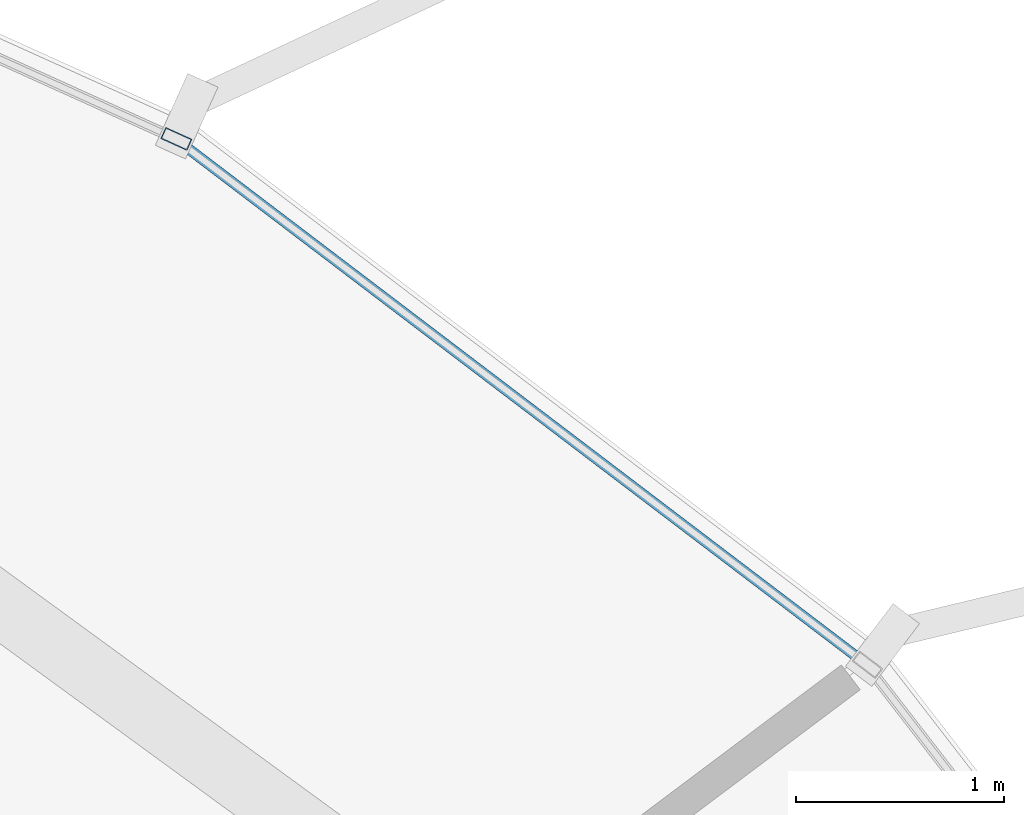
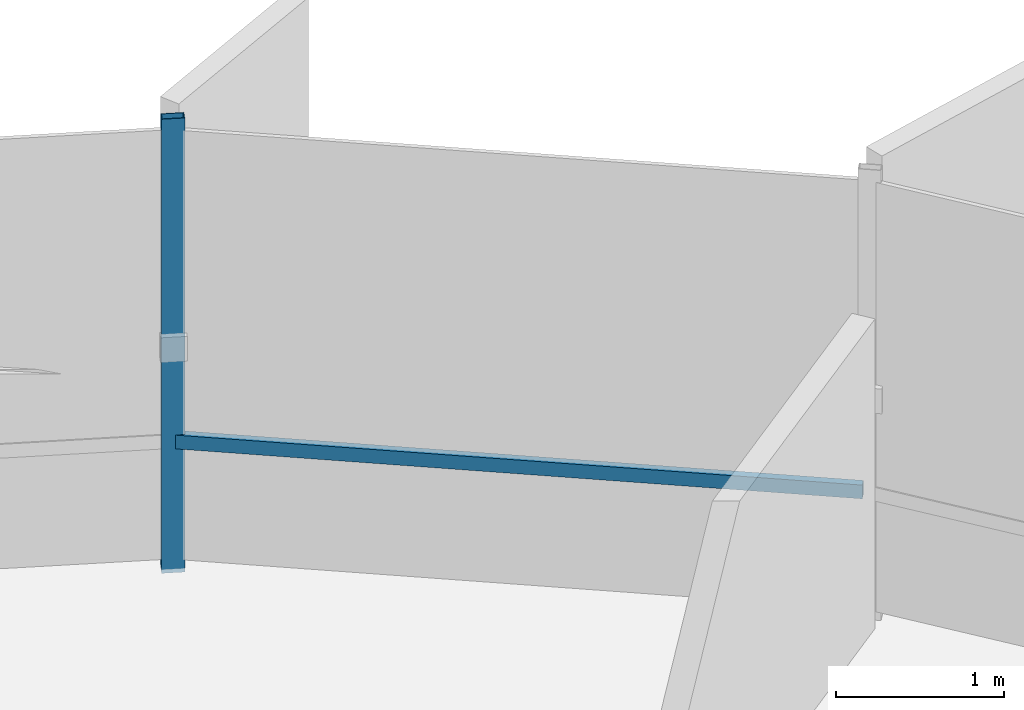
# One storey, part 25 of 34: 2 members, 1 element without a shape of its own.
"""IFC4 building model written with IfcOpenShell, lengths in metres."""

from ifc_helpers import new_model, si_unit, direction, frame, origin, origin_2d, place, context, subcontext, project, spatial, hollow_rectangle, extrude, source, transform, mapped, material, layer, layer_set, material_profile, profile_set, type_object, element, aggregate, save


model = new_model("IFC4")

# Units and contexts
model_context = context("Model", 3, precision=1e-05, world=origin(), true_north=direction((0.0, 1.0)))
body_context = subcontext(model_context, "Body", "Model", "MODEL_VIEW")
ifc_project = project(units=[si_unit("LENGTHUNIT", "METRE"), si_unit("AREAUNIT", "SQUARE_METRE"), si_unit("VOLUMEUNIT", "CUBIC_METRE"), si_unit("PLANEANGLEUNIT", "RADIAN"), si_unit("MASSUNIT", "GRAM", prefix="KILO"), si_unit("THERMODYNAMICTEMPERATUREUNIT", "KELVIN")], contexts=[model_context])

# Site, building, storey
site_placement = place(None, origin())
site = spatial("IfcSite", under=ifc_project, at=site_placement, CompositionType="ELEMENT")
building_placement = place(site_placement, origin())
building = spatial("IfcBuilding", under=site, at=building_placement, Name="Kethvar Cultural Tower", CompositionType="ELEMENT")
storey_placement = place(building_placement, frame((0.0, 0.0, 153.64990234375)))
storey = spatial("IfcBuildingStorey", under=building, at=storey_placement, Name="L39", CompositionType="ELEMENT", Elevation=153.64990234375)

# Curtain wall, members
ifc_material = material(Name="Aluminium 6063-T6", Category="aluminium")
ifc_layer = layer(ifc_material, 0.179931640625, Name="Aluminium 6063-T6", Category="aluminium")
ifc_layer_set = layer_set([ifc_layer], Name="Aluminium 6063-T6 (180 mm)")
curtain_wall_type = type_object("IfcCurtainWallType", Name="CW-SYS-04-Z34", PredefinedType="NOTDEFINED", material=ifc_layer_set)
curtain_wall_placement = place(storey_placement, origin())
curtain_wall = element("IfcCurtainWall", 1, at=curtain_wall_placement, inside=storey, type_object=curtain_wall_type, Name="L39 Curtain Wall Run 01", PredefinedType="NOTDEFINED")
ifc_material_profile_1 = material_profile(ifc_material, hollow_rectangle(XDim=0.06005859375, YDim=0.139892578125, WallThickness=0.0048828125, at=origin_2d()), Name="Aluminium 6063-T6 — RHS140x60x5")
ifc_profile_set_1 = profile_set([ifc_material_profile_1], Name="Aluminium 6063-T6 — RHS140x60x5")
member_type_1 = type_object("IfcMemberType", Name="CW-SYS-04-Z34-MUL", PredefinedType="MULLION", material=ifc_profile_set_1)
shared_shape_1 = source(origin(), body_context, "Body", "SweptSolid", [
    extrude(hollow_rectangle(XDim=0.06005859375, YDim=0.139892578125, WallThickness=0.0048828125, at=origin_2d()), origin(), (0.0, 0.0, 1.0), 3.300048828125),
])
member_1_placement = place(storey_placement, frame((68.437255859375, 49.12451171875, 0.0), z_axis=(0.0, 0.0, 1.0), x_axis=(-0.412214144665, -0.91108698758, 0.0)))
member_1 = element("IfcMember", 2, at=member_1_placement, type_object=member_type_1, Name="CW-L39-R01 Mullion 3", PredefinedType="MULLION", context=body_context, shape_type="MappedRepresentation", body=[
    mapped(shared_shape_1, transform((0.0, 0.0, 0.0), scale=1.0)),
])
ifc_material_profile_2 = material_profile(ifc_material, hollow_rectangle(XDim=0.050048828125, YDim=0.10009765625, WallThickness=0.00390625, at=origin_2d()), Name="Aluminium 6063-T6 — RHS100x50x4")
ifc_profile_set_2 = profile_set([ifc_material_profile_2], Name="Aluminium 6063-T6 — RHS100x50x4")
member_type_2 = type_object("IfcMemberType", Name="CW-SYS-04-Z34-TRN", PredefinedType="USERDEFINED", material=ifc_profile_set_2)
shared_shape_2 = source(origin(), body_context, "Body", "SweptSolid", [
    extrude(hollow_rectangle(XDim=0.050048828125, YDim=0.10009765625, WallThickness=0.00390625, at=origin_2d()), origin(), (0.0, 0.0, 1.0), 4.123291015625),
])
member_2_placement = place(storey_placement, frame((71.733154296875, 46.6162109375, 0.9501953125), z_axis=(-0.796161053125, 0.605084768844, 0.0), x_axis=(-0.605084768844, -0.796161053125, 0.0)))
member_2 = element("IfcMember", 3, at=member_2_placement, type_object=member_type_2, Name="CW-L39-R01 Transom 2", ObjectType="TRANSOM", PredefinedType="USERDEFINED", context=body_context, shape_type="MappedRepresentation", body=[
    mapped(shared_shape_2, transform((0.0, 0.0, 0.0), scale=1.0)),
])
aggregate(curtain_wall, [member_1, member_2])

save(model, "model.ifc")
